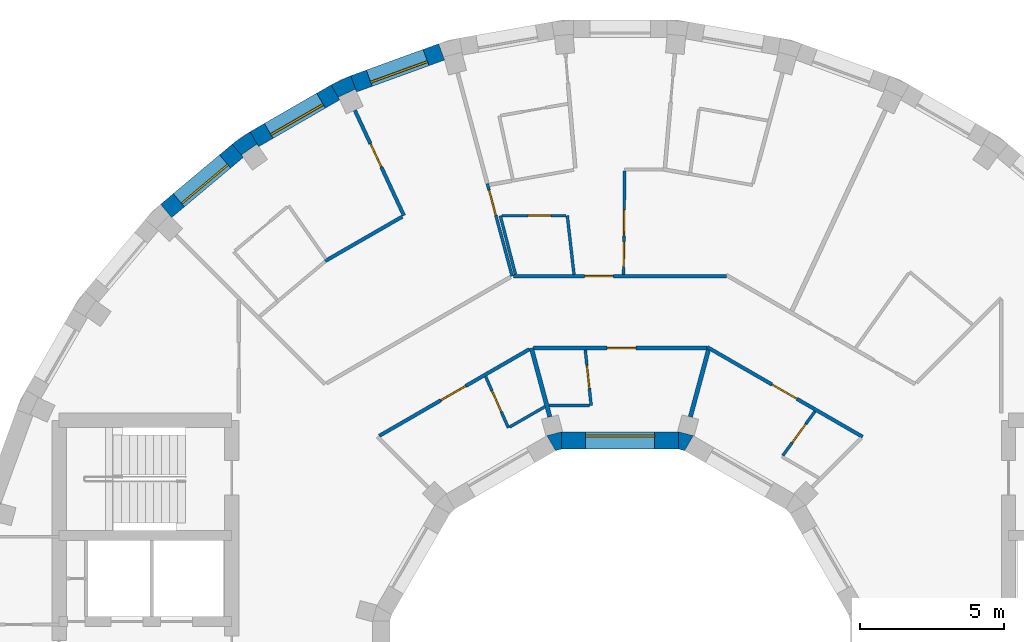
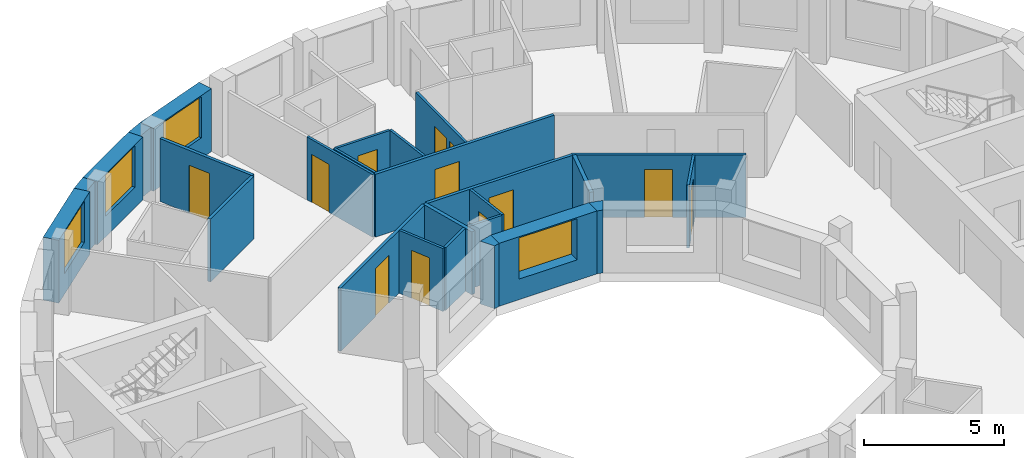
# One storey, part 9 of 12: 26 walls, 12 doors, 4 windows, 16 openings.
"""IFC4 building model written with IfcOpenShell, lengths in metres."""

from ifc_helpers import new_model, si_unit, direction, frame, frame_2d, origin, place, context, subcontext, project, spatial, polyline, rectangle, outline, extrude, material, layer, layer_set, type_object, element, fill, save


model = new_model("IFC4")

# Units and contexts
model_context = context("Model", 3, precision=1e-05, world=origin(), true_north=direction((0.0, 1.0)))
body_context = subcontext(model_context, "Body", "Model", "MODEL_VIEW")
ifc_project = project(units=[si_unit("LENGTHUNIT", "METRE"), si_unit("AREAUNIT", "SQUARE_METRE"), si_unit("VOLUMEUNIT", "CUBIC_METRE"), si_unit("PLANEANGLEUNIT", "RADIAN"), si_unit("MASSUNIT", "GRAM", prefix="KILO")], contexts=[model_context])

# Site, building, storey
site_placement = place(None, origin())
site = spatial("IfcSite", under=ifc_project, at=site_placement, CompositionType="ELEMENT")
building_placement = place(site_placement, origin())
building = spatial("IfcBuilding", under=site, at=building_placement, Name="Saqina Gate Tower", CompositionType="ELEMENT")
storey_placement = place(building_placement, frame((0.0, 0.0, 275.89990234375)))
storey = spatial("IfcBuildingStorey", under=building, at=storey_placement, Name="L79", CompositionType="ELEMENT", Elevation=275.89990234375)

# Walls
ifc_material_1 = material(Name="Brick masonry (buff)", Category="masonry")
wall_type_1 = type_object("IfcWallType", Name="BRICK PIER COPING BUFF", PredefinedType="SOLIDWALL", material=ifc_material_1)
wall_1_placement = place(storey_placement, origin())
element("IfcWall", 1, at=wall_1_placement, inside=storey, type_object=wall_type_1, Name="Pier cap L79 column 12", PredefinedType="SOLIDWALL", context=body_context, shape_type="SweptSolid", body=[
    extrude(outline(polyline([(-9.3642578125, 20.974609375), (-10.048095703125, 20.65576171875), (-9.748291015625, 20.135986328125), (-9.79296875, 20.23193359375), (-9.203857421875, 20.506591796875), (-9.1591796875, 20.410888671875), (-9.3642578125, 20.974609375)])), origin(), (0.0, 0.0, 1.0), 2.75),
])
wall_2_placement = place(storey_placement, origin())
element("IfcWall", 2, at=wall_2_placement, inside=storey, type_object=wall_type_1, Name="Pier cap L79 column 13", PredefinedType="SOLIDWALL", context=body_context, shape_type="SweptSolid", body=[
    extrude(outline(polyline([(-12.8642578125, 19.02978515625), (-13.482421875, 18.59716796875), (-13.0966796875, 18.137451171875), (-13.157470703125, 18.22412109375), (-12.625, 18.596923828125), (-12.564208984375, 18.51025390625), (-12.8642578125, 19.02978515625)])), origin(), (0.0, 0.0, 1.0), 2.75),
])

# Wall, opening, window
ifc_material_2 = material(Name="Brick masonry (buff)", Category="masonry")
ifc_layer_1 = layer(ifc_material_2, 0.60009765625)
ifc_layer_set_1 = layer_set([ifc_layer_1], Name="FW-BRICK-BUFF")
wall_type_2 = type_object("IfcWallType", Name="FW-BRICK-BUFF", PredefinedType="SOLIDWALL", material=ifc_layer_set_1)
wall_3_placement = place(storey_placement, frame((-6.2060546875, 21.804931640625, 0.0), z_axis=(0.0, 0.0, 1.0), x_axis=(-0.939679383794, -0.342056509473, 0.0)))
wall_3 = element("IfcWall", 3, at=wall_3_placement, inside=storey, type_object=wall_type_2, Name="Facade wall L79 facet 11", PredefinedType="SOLIDWALL", context=body_context, shape_type="SweptSolid", body=[
    extrude(rectangle(XDim=3.251708984375, YDim=0.60009765625, at=frame_2d((1.6259765625, 0.0))), origin(), (0.0, 0.0, 1.0), 2.75),
])
opening_1_placement = place(wall_3_placement, frame((0.57568359375, 0.0, 0.89990234375)))
opening_1 = element("IfcOpeningElement", 4, at=opening_1_placement, cuts=wall_3, Name="Opening G23-W09", PredefinedType="OPENING", context=body_context, shape_type="SweptSolid", body=[
    extrude(rectangle(XDim=2.10009765625, YDim=1.800048828125, at=frame_2d((1.050048828125, 0.89990234375))), frame((0.0, 0.31201171875, 0.0), z_axis=(0.0, -1.0, 0.0), x_axis=(1.0, 0.0, 0.0)), (0.0, 0.0, 1.0), 0.6240234375),
])
ifc_material_3 = material(Name="Aluminium glazing", Category="aluminium")
window_type_1 = type_object("IfcWindowType", Name="WN-D", PartitioningType="SINGLE_PANEL", PredefinedType="WINDOW", material=ifc_material_3)
window_1_placement = place(opening_1_placement, origin())
window_1 = element("IfcWindow", 5, at=window_1_placement, inside=storey, type_object=window_type_1, Name="Window L79 facet 11", OverallHeight=1.800048828125, OverallWidth=2.10009765625, PartitioningType="SINGLE_PANEL", PredefinedType="WINDOW", context=body_context, shape_type="SweptSolid", body=[
    extrude(rectangle(XDim=2.10009765625, YDim=1.800048828125, at=frame_2d((1.050048828125, 0.89990234375))), frame((0.0, 0.179931640625, 0.0), z_axis=(0.0, -1.0, 0.0), x_axis=(1.0, 0.0, 0.0)), (0.0, 0.0, 1.0), 0.06005859375),
])
fill(opening_1, window_1)

wall_4_placement = place(storey_placement, frame((-9.898193359375, 20.39599609375, 0.0), z_axis=(0.0, 0.0, 1.0), x_axis=(-0.866016800201, -0.500014901547, 0.0)))
wall_4 = element("IfcWall", 6, at=wall_4_placement, inside=storey, type_object=wall_type_2, Name="Facade wall L79 facet 12", PredefinedType="SOLIDWALL", context=body_context, shape_type="SweptSolid", body=[
    extrude(rectangle(XDim=3.251953125, YDim=0.60009765625, at=frame_2d((1.6259765625, 0.0))), origin(), (0.0, 0.0, 1.0), 2.75),
])
opening_2_placement = place(wall_4_placement, frame((0.57568359375, 0.0, 0.89990234375)))
opening_2 = element("IfcOpeningElement", 7, at=opening_2_placement, cuts=wall_4, Name="Opening G23-W10", PredefinedType="OPENING", context=body_context, shape_type="SweptSolid", body=[
    extrude(rectangle(XDim=2.10009765625, YDim=1.800048828125, at=frame_2d((1.050048828125, 0.89990234375))), frame((0.0, 0.31201171875, 0.0), z_axis=(0.0, -1.0, 0.0), x_axis=(1.0, 0.0, 0.0)), (0.0, 0.0, 1.0), 0.6240234375),
])
window_2_placement = place(opening_2_placement, origin())
window_2 = element("IfcWindow", 8, at=window_2_placement, inside=storey, type_object=window_type_1, Name="Window L79 facet 12", OverallHeight=1.800048828125, OverallWidth=2.10009765625, PartitioningType="SINGLE_PANEL", PredefinedType="WINDOW", context=body_context, shape_type="SweptSolid", body=[
    extrude(rectangle(XDim=2.10009765625, YDim=1.800048828125, at=frame_2d((1.050048828125, 0.89990234375))), frame((0.0, 0.179931640625, 0.0), z_axis=(0.0, -1.0, 0.0), x_axis=(1.0, 0.0, 0.0)), (0.0, 0.0, 1.0), 0.06005859375),
])
fill(opening_2, window_2)

wall_5_placement = place(storey_placement, frame((-13.28955078125, 18.3671875, 0.0), z_axis=(0.0, 0.0, 1.0), x_axis=(-0.766056773982, -0.64277291405, 0.0)))
wall_5 = element("IfcWall", 9, at=wall_5_placement, inside=storey, type_object=wall_type_2, Name="Facade wall L79 facet 13", PredefinedType="SOLIDWALL", context=body_context, shape_type="SweptSolid", body=[
    extrude(rectangle(XDim=3.251708984375, YDim=0.60009765625, at=frame_2d((1.6259765625, 0.0))), origin(), (0.0, 0.0, 1.0), 2.75),
])
opening_3_placement = place(wall_5_placement, frame((0.57568359375, 0.0, 0.89990234375)))
opening_3 = element("IfcOpeningElement", 10, at=opening_3_placement, cuts=wall_5, Name="Opening G23-W11", PredefinedType="OPENING", context=body_context, shape_type="SweptSolid", body=[
    extrude(rectangle(XDim=2.10009765625, YDim=1.800048828125, at=frame_2d((1.050048828125, 0.89990234375))), frame((0.0, 0.31201171875, 0.0), z_axis=(0.0, -1.0, 0.0), x_axis=(1.0, 0.0, 0.0)), (0.0, 0.0, 1.0), 0.6240234375),
])
window_3_placement = place(opening_3_placement, origin())
window_3 = element("IfcWindow", 11, at=window_3_placement, inside=storey, type_object=window_type_1, Name="Window L79 facet 13", OverallHeight=1.800048828125, OverallWidth=2.10009765625, PartitioningType="SINGLE_PANEL", PredefinedType="WINDOW", context=body_context, shape_type="SweptSolid", body=[
    extrude(rectangle(XDim=2.10009765625, YDim=1.800048828125, at=frame_2d((1.050048828125, 0.89990234375))), frame((0.0, 0.179931640625, 0.0), z_axis=(0.0, -1.0, 0.0), x_axis=(1.0, 0.0, 0.0)), (0.0, 0.0, 1.0), 0.06005859375),
])
fill(opening_3, window_3)

ifc_material_4 = material(Name="Glazed ceramic tile", Category="ceramic")
ifc_layer_2 = layer(ifc_material_4, 0.60009765625)
ifc_layer_set_2 = layer_set([ifc_layer_2], Name="IW-TILE")
wall_type_3 = type_object("IfcWallType", Name="IW-TILE", PredefinedType="SOLIDWALL", material=ifc_layer_set_2)
wall_6_placement = place(storey_placement, frame((2.029296875, 8.300048828125, 0.0), z_axis=(0.0, 0.0, 1.0), x_axis=(-1.0, 0.0, 0.0)))
wall_6 = element("IfcWall", 12, at=wall_6_placement, inside=storey, type_object=wall_type_3, Name="Well wall L79 facet 3", PredefinedType="SOLIDWALL", context=body_context, shape_type="SweptSolid", body=[
    extrude(rectangle(XDim=4.05859375, YDim=0.60009765625, at=frame_2d((2.029296875, 0.0))), origin(), (0.0, 0.0, 1.0), 2.75),
])
opening_4_placement = place(wall_6_placement, frame((0.829345703125, 0.0, 0.89990234375)))
opening_4 = element("IfcOpeningElement", 13, at=opening_4_placement, cuts=wall_6, Name="Opening G23-W25", PredefinedType="OPENING", context=body_context, shape_type="SweptSolid", body=[
    extrude(rectangle(XDim=2.39990234375, YDim=1.800048828125, at=frame_2d((1.199951171875, 0.89990234375))), frame((0.0, 0.31201171875, 0.0), z_axis=(0.0, -1.0, 0.0), x_axis=(1.0, 0.0, 0.0)), (0.0, 0.0, 1.0), 0.6240234375),
])
ifc_material_5 = material(Name="Aluminium glazing", Category="aluminium")
window_type_2 = type_object("IfcWindowType", Name="WN-W", PartitioningType="SINGLE_PANEL", PredefinedType="WINDOW", material=ifc_material_5)
window_4_placement = place(opening_4_placement, origin())
window_4 = element("IfcWindow", 14, at=window_4_placement, inside=storey, type_object=window_type_2, Name="Well window L79 facet 3", OverallHeight=1.800048828125, OverallWidth=2.39990234375, PartitioningType="SINGLE_PANEL", PredefinedType="WINDOW", context=body_context, shape_type="SweptSolid", body=[
    extrude(rectangle(XDim=2.39990234375, YDim=1.800048828125, at=frame_2d((1.199951171875, 0.89990234375))), frame((0.0, -0.119873046875, 0.0), z_axis=(0.0, -1.0, 0.0), x_axis=(1.0, 0.0, 0.0)), (0.0, 0.0, 1.0), 0.06005859375),
])
fill(opening_4, window_4)

# Wall, opening, door
ifc_material_6 = material(Name="Gypsum board on steel studs, 100 mm", Category="steel")
ifc_layer_3 = layer(ifc_material_6, 0.10009765625)
ifc_layer_set_3 = layer_set([ifc_layer_3], Name="PARTITION 100")
wall_type_4 = type_object("IfcWallType", Name="PARTITION 100", PredefinedType="PARTITIONING", material=ifc_layer_set_3)
wall_7_placement = place(storey_placement, frame((-1.21142578125, 11.44775390625, 0.0), z_axis=(0.0, 0.0, 1.0), x_axis=(0.105369568355, -0.994433132023, 0.0)))
wall_7 = element("IfcWall", 15, at=wall_7_placement, inside=storey, type_object=wall_type_4, Name="PARTITION PW3-01", PredefinedType="PARTITIONING", context=body_context, shape_type="SweptSolid", body=[
    extrude(rectangle(XDim=1.948486328125, YDim=0.10009765625, at=frame_2d((0.97412109375, 0.0))), origin(), (0.0, 0.0, 1.0), 2.75),
])
opening_5_placement = place(wall_7_placement, frame((0.543212890625, 0.0, 0.0)))
opening_5 = element("IfcOpeningElement", 16, at=opening_5_placement, cuts=wall_7, Name="Opening G23-D12", PredefinedType="OPENING", context=body_context, shape_type="SweptSolid", body=[
    extrude(rectangle(XDim=0.800048828125, YDim=2.10009765625, at=frame_2d((0.39990234375, 1.050048828125))), frame((0.0, 0.06201171875, 0.0), z_axis=(0.0, -1.0, 0.0), x_axis=(1.0, 0.0, 0.0)), (0.0, 0.0, 1.0), 0.1240234375),
])
ifc_material_7 = material(Name="Timber door leaf, 800 mm", Category="wood")
door_type_1 = type_object("IfcDoorType", Name="DOOR 800 TIMBER", OperationType="SINGLE_SWING_LEFT", PredefinedType="DOOR", material=ifc_material_7)
door_1_placement = place(opening_5_placement, origin())
door_1 = element("IfcDoor", 17, at=door_1_placement, inside=storey, type_object=door_type_1, Name="DOOR G23-D12", OperationType="SINGLE_SWING_LEFT", OverallHeight=2.10009765625, OverallWidth=0.800048828125, PredefinedType="DOOR", context=body_context, shape_type="SweptSolid", body=[
    extrude(rectangle(XDim=0.800048828125, YDim=2.10009765625, at=frame_2d((0.39990234375, 1.050048828125))), frame((0.0, 0.02490234375, 0.0), z_axis=(0.0, -1.0, 0.0), x_axis=(1.0, 0.0, 0.0)), (0.0, 0.0, 1.0), 0.050048828125),
])
fill(opening_5, door_1)

# Walls
wall_8_placement = place(storey_placement, frame((-1.8359375, 16.110107421875, 0.0), z_axis=(0.0, 0.0, 1.0), x_axis=(0.113539878009, -0.993533439851, 0.0)))
element("IfcWall", 18, at=wall_8_placement, inside=storey, type_object=wall_type_4, Name="PARTITION PW3-02", PredefinedType="PARTITIONING", context=body_context, shape_type="SweptSolid", body=[
    extrude(rectangle(XDim=2.05126953125, YDim=0.10009765625, at=frame_2d((1.025634765625, 0.0))), origin(), (0.0, 0.0, 1.0), 2.75),
])
wall_9_placement = place(storey_placement, frame((-4.1640625, 16.106201171875, 0.0), z_axis=(0.0, 0.0, 1.0), x_axis=(0.250341539679, -0.968157587127, 0.0)))
element("IfcWall", 19, at=wall_9_placement, inside=storey, type_object=wall_type_4, Name="PARTITION PW3-05", PredefinedType="PARTITIONING", context=body_context, shape_type="SweptSolid", body=[
    extrude(rectangle(XDim=2.1025390625, YDim=0.10009765625, at=frame_2d((1.05126953125, 0.0))), origin(), (0.0, 0.0, 1.0), 2.75),
])

# Wall, opening, door
wall_10_placement = place(storey_placement, frame((-4.61474609375, 17.222412109375, 0.0), z_axis=(0.0, 0.0, 1.0), x_axis=(0.258841272413, -0.965919870225, 0.0)))
wall_10 = element("IfcWall", 20, at=wall_10_placement, inside=storey, type_object=wall_type_4, Name="PARTITION PW3-07", PredefinedType="PARTITIONING", context=body_context, shape_type="SweptSolid", body=[
    extrude(rectangle(XDim=3.32568359375, YDim=0.10009765625, at=frame_2d((1.662841796875, 0.0))), origin(), (0.0, 0.0, 1.0), 2.75),
])
opening_6_placement = place(wall_10_placement, frame((0.2373046875, 0.0, 0.0)))
opening_6 = element("IfcOpeningElement", 21, at=opening_6_placement, cuts=wall_10, Name="Opening G23-D15", PredefinedType="OPENING", context=body_context, shape_type="SweptSolid", body=[
    extrude(rectangle(XDim=0.89990234375, YDim=2.10009765625, at=frame_2d((0.449951171875, 1.050048828125))), frame((0.0, 0.06201171875, 0.0), z_axis=(0.0, -1.0, 0.0), x_axis=(1.0, 0.0, 0.0)), (0.0, 0.0, 1.0), 0.1240234375),
])
ifc_material_8 = material(Name="Timber door leaf, 900 mm", Category="wood")
door_type_2 = type_object("IfcDoorType", Name="DOOR 900 TIMBER", OperationType="SINGLE_SWING_LEFT", PredefinedType="DOOR", material=ifc_material_8)
door_2_placement = place(opening_6_placement, frame((0.89990234375, 0.0, 0.0), z_axis=(0.0, 0.0, 1.0), x_axis=(-1.0, 0.0, 0.0)))
door_2 = element("IfcDoor", 22, at=door_2_placement, inside=storey, type_object=door_type_2, Name="DOOR G23-D15", OperationType="SINGLE_SWING_RIGHT", OverallHeight=2.10009765625, OverallWidth=0.89990234375, PredefinedType="DOOR", context=body_context, shape_type="SweptSolid", body=[
    extrude(rectangle(XDim=0.89990234375, YDim=2.10009765625, at=frame_2d((0.449951171875, 1.050048828125))), frame((0.0, 0.02490234375, 0.0), z_axis=(0.0, -1.0, 0.0), x_axis=(1.0, 0.0, 0.0)), (0.0, 0.0, 1.0), 0.050048828125),
])
fill(opening_6, door_2)

wall_11_placement = place(storey_placement, frame((-4.674560546875, 10.519775390625, 0.0), z_axis=(0.0, 0.0, 1.0), x_axis=(0.405743130594, -0.913987150881, 0.0)))
wall_11 = element("IfcWall", 23, at=wall_11_placement, inside=storey, type_object=wall_type_4, Name="PARTITION PW3-10", PredefinedType="PARTITIONING", context=body_context, shape_type="SweptSolid", body=[
    extrude(rectangle(XDim=1.9482421875, YDim=0.10009765625, at=frame_2d((0.97412109375, 0.0))), origin(), (0.0, 0.0, 1.0), 2.75),
])
opening_7_placement = place(wall_11_placement, frame((0.54296875, 0.0, 0.0)))
opening_7 = element("IfcOpeningElement", 24, at=opening_7_placement, cuts=wall_11, Name="Opening G23-D16", PredefinedType="OPENING", context=body_context, shape_type="SweptSolid", body=[
    extrude(rectangle(XDim=0.800048828125, YDim=2.10009765625, at=frame_2d((0.39990234375, 1.050048828125))), frame((0.0, 0.06201171875, 0.0), z_axis=(0.0, -1.0, 0.0), x_axis=(1.0, 0.0, 0.0)), (0.0, 0.0, 1.0), 0.1240234375),
])
door_3_placement = place(opening_7_placement, frame((0.800048828125, 0.0, 0.0), z_axis=(0.0, 0.0, 1.0), x_axis=(-1.0, 0.0, 0.0)))
door_3 = element("IfcDoor", 25, at=door_3_placement, inside=storey, type_object=door_type_1, Name="DOOR G23-D16", OperationType="SINGLE_SWING_RIGHT", OverallHeight=2.10009765625, OverallWidth=0.800048828125, PredefinedType="DOOR", context=body_context, shape_type="SweptSolid", body=[
    extrude(rectangle(XDim=0.800048828125, YDim=2.10009765625, at=frame_2d((0.39990234375, 1.050048828125))), frame((0.0, 0.02490234375, 0.0), z_axis=(0.0, -1.0, 0.0), x_axis=(1.0, 0.0, 0.0)), (0.0, 0.0, 1.0), 0.050048828125),
])
fill(opening_7, door_3)

# Wall
wall_12_placement = place(storey_placement, frame((-2.472900390625, 9.510009765625, 0.0), z_axis=(0.0, 0.0, 1.0), x_axis=(1.0, 0.0, 0.0)))
element("IfcWall", 26, at=wall_12_placement, inside=storey, type_object=wall_type_4, Name="PARTITION PW3-26", PredefinedType="PARTITIONING", context=body_context, shape_type="SweptSolid", body=[
    extrude(rectangle(XDim=1.4169921875, YDim=0.10009765625, at=frame_2d((0.70849609375, 0.0))), origin(), (0.0, 0.0, 1.0), 2.75),
])

# Wall, opening, door
wall_13_placement = place(storey_placement, frame((-4.112060546875, 16.110107421875, 0.0), z_axis=(0.0, 0.0, 1.0), x_axis=(1.0, 0.0, 0.0)))
wall_13 = element("IfcWall", 27, at=wall_13_placement, inside=storey, type_object=wall_type_4, Name="PARTITION PW3-27", PredefinedType="PARTITIONING", context=body_context, shape_type="SweptSolid", body=[
    extrude(rectangle(XDim=2.22412109375, YDim=0.10009765625, at=frame_2d((1.112060546875, 0.0))), origin(), (0.0, 0.0, 1.0), 2.75),
])
opening_8_placement = place(wall_13_placement, frame((0.912109375, 0.0, 0.0)))
opening_8 = element("IfcOpeningElement", 28, at=opening_8_placement, cuts=wall_13, Name="Opening G23-D14", PredefinedType="OPENING", context=body_context, shape_type="SweptSolid", body=[
    extrude(rectangle(XDim=0.800048828125, YDim=2.10009765625, at=frame_2d((0.39990234375, 1.050048828125))), frame((0.0, 0.06201171875, 0.0), z_axis=(0.0, -1.0, 0.0), x_axis=(1.0, 0.0, 0.0)), (0.0, 0.0, 1.0), 0.1240234375),
])
door_4_placement = place(opening_8_placement, origin())
door_4 = element("IfcDoor", 29, at=door_4_placement, inside=storey, type_object=door_type_1, Name="DOOR G23-D14", OperationType="SINGLE_SWING_RIGHT", OverallHeight=2.10009765625, OverallWidth=0.800048828125, PredefinedType="DOOR", context=body_context, shape_type="SweptSolid", body=[
    extrude(rectangle(XDim=0.800048828125, YDim=2.10009765625, at=frame_2d((0.39990234375, 1.050048828125))), frame((0.0, 0.02490234375, 0.0), z_axis=(0.0, -1.0, 0.0), x_axis=(1.0, 0.0, 0.0)), (0.0, 0.0, 1.0), 0.050048828125),
])
fill(opening_8, door_4)

# Wall
wall_14_placement = place(storey_placement, frame((-3.840576171875, 8.763916015625, 0.0), z_axis=(0.0, 0.0, 1.0), x_axis=(0.866093804534, 0.499881507708, 0.0)))
element("IfcWall", 30, at=wall_14_placement, inside=storey, type_object=wall_type_4, Name="PARTITION PW3-36", PredefinedType="PARTITIONING", context=body_context, shape_type="SweptSolid", body=[
    extrude(rectangle(XDim=1.417236328125, YDim=0.10009765625, at=frame_2d((0.70849609375, 0.0))), origin(), (0.0, 0.0, 1.0), 2.75),
])

# Wall, opening, door
wall_15_placement = place(storey_placement, frame((5.655517578125, 7.7734375, 0.0), z_axis=(0.0, 0.0, 1.0), x_axis=(0.588645610209, 0.808391208254, 0.0)))
wall_15 = element("IfcWall", 31, at=wall_15_placement, inside=storey, type_object=wall_type_4, Name="PARTITION PW3-41", PredefinedType="PARTITIONING", context=body_context, shape_type="SweptSolid", body=[
    extrude(rectangle(XDim=1.898681640625, YDim=0.10009765625, at=frame_2d((0.94921875, 0.0))), origin(), (0.0, 0.0, 1.0), 2.75),
])
opening_9_placement = place(wall_15_placement, frame((0.5556640625, 0.0, 0.0)))
opening_9 = element("IfcOpeningElement", 32, at=opening_9_placement, cuts=wall_15, Name="Opening G23-D02", PredefinedType="OPENING", context=body_context, shape_type="SweptSolid", body=[
    extrude(rectangle(XDim=0.800048828125, YDim=2.10009765625, at=frame_2d((0.39990234375, 1.050048828125))), frame((0.0, 0.06201171875, 0.0), z_axis=(0.0, -1.0, 0.0), x_axis=(1.0, 0.0, 0.0)), (0.0, 0.0, 1.0), 0.1240234375),
])
door_5_placement = place(opening_9_placement, origin())
door_5 = element("IfcDoor", 33, at=door_5_placement, inside=storey, type_object=door_type_1, Name="DOOR G23-D02", OperationType="SINGLE_SWING_RIGHT", OverallHeight=2.10009765625, OverallWidth=0.800048828125, PredefinedType="DOOR", context=body_context, shape_type="SweptSolid", body=[
    extrude(rectangle(XDim=0.800048828125, YDim=2.10009765625, at=frame_2d((0.39990234375, 1.050048828125))), frame((0.0, 0.02490234375, 0.0), z_axis=(0.0, -1.0, 0.0), x_axis=(1.0, 0.0, 0.0)), (0.0, 0.0, 1.0), 0.050048828125),
])
fill(opening_9, door_5)

# Wall, openings, doors
wall_16_placement = place(storey_placement, frame((0.12255859375, 14.072509765625, 0.0), z_axis=(0.0, 0.0, 1.0), x_axis=(0.008912423265, 0.999960283567, 0.0)))
wall_16 = element("IfcWall", 34, at=wall_16_placement, inside=storey, type_object=wall_type_4, Name="PARTITION PW3-52", PredefinedType="PARTITIONING", context=body_context, shape_type="SweptSolid", body=[
    extrude(rectangle(XDim=3.588623046875, YDim=0.10009765625, at=frame_2d((1.79443359375, 0.0))), origin(), (0.0, 0.0, 1.0), 2.75),
])
opening_10_placement = place(wall_16_placement, frame((0.237548828125, 0.0, 0.0)))
opening_10 = element("IfcOpeningElement", 35, at=opening_10_placement, cuts=wall_16, Name="Opening G23-D07", PredefinedType="OPENING", context=body_context, shape_type="SweptSolid", body=[
    extrude(rectangle(XDim=0.89990234375, YDim=2.10009765625, at=frame_2d((0.449951171875, 1.050048828125))), frame((0.0, 0.06201171875, 0.0), z_axis=(0.0, -1.0, 0.0), x_axis=(1.0, 0.0, 0.0)), (0.0, 0.0, 1.0), 0.1240234375),
])
opening_11_placement = place(wall_16_placement, frame((1.337646484375, 0.0, 0.0)))
opening_11 = element("IfcOpeningElement", 36, at=opening_11_placement, cuts=wall_16, Name="Opening G23-D08", PredefinedType="OPENING", context=body_context, shape_type="SweptSolid", body=[
    extrude(rectangle(XDim=0.89990234375, YDim=2.10009765625, at=frame_2d((0.449951171875, 1.050048828125))), frame((0.0, 0.06201171875, 0.0), z_axis=(0.0, -1.0, 0.0), x_axis=(1.0, 0.0, 0.0)), (0.0, 0.0, 1.0), 0.1240234375),
])
door_6_placement = place(opening_10_placement, frame((0.89990234375, 0.0, 0.0), z_axis=(0.0, 0.0, 1.0), x_axis=(-1.0, 0.0, 0.0)))
door_6 = element("IfcDoor", 37, at=door_6_placement, inside=storey, type_object=door_type_2, Name="DOOR G23-D07", OperationType="SINGLE_SWING_RIGHT", OverallHeight=2.10009765625, OverallWidth=0.89990234375, PredefinedType="DOOR", context=body_context, shape_type="SweptSolid", body=[
    extrude(rectangle(XDim=0.89990234375, YDim=2.10009765625, at=frame_2d((0.449951171875, 1.050048828125))), frame((0.0, 0.02490234375, 0.0), z_axis=(0.0, -1.0, 0.0), x_axis=(1.0, 0.0, 0.0)), (0.0, 0.0, 1.0), 0.050048828125),
])
fill(opening_10, door_6)
door_7_placement = place(opening_11_placement, frame((0.89990234375, 0.0, 0.0), z_axis=(0.0, 0.0, 1.0), x_axis=(-1.0, 0.0, 0.0)))
door_7 = element("IfcDoor", 38, at=door_7_placement, inside=storey, type_object=door_type_2, Name="DOOR G23-D08", OperationType="SINGLE_SWING_RIGHT", OverallHeight=2.10009765625, OverallWidth=0.89990234375, PredefinedType="DOOR", context=body_context, shape_type="SweptSolid", body=[
    extrude(rectangle(XDim=0.89990234375, YDim=2.10009765625, at=frame_2d((0.449951171875, 1.050048828125))), frame((0.0, 0.02490234375, 0.0), z_axis=(0.0, -1.0, 0.0), x_axis=(1.0, 0.0, 0.0)), (0.0, 0.0, 1.0), 0.050048828125),
])
fill(opening_11, door_7)

# Wall, opening, door
ifc_material_9 = material(Name="Gypsum board on steel studs, 125 mm, fire rated", Category="steel")
ifc_layer_4 = layer(ifc_material_9, 0.125)
ifc_layer_set_4 = layer_set([ifc_layer_4], Name="PARTITION EI 30 125")
wall_type_5 = type_object("IfcWallType", Name="PARTITION EI 30 125", PredefinedType="PARTITIONING", material=ifc_layer_set_4)
wall_17_placement = place(storey_placement, frame((-9.219482421875, 19.77099609375, 0.0), z_axis=(0.0, 0.0, 1.0), x_axis=(0.422689943865, -0.906274357662, 0.0)))
wall_17 = element("IfcWall", 39, at=wall_17_placement, inside=storey, type_object=wall_type_5, Name="PARTITION PW1-06", PredefinedType="PARTITIONING", context=body_context, shape_type="SweptSolid", body=[
    extrude(rectangle(XDim=4.033203125, YDim=0.125, at=frame_2d((2.0166015625, 0.0))), origin(), (0.0, 0.0, 1.0), 2.75),
])
opening_12_placement = place(wall_17_placement, frame((1.2763671875, 0.0, 0.0)))
opening_12 = element("IfcOpeningElement", 40, at=opening_12_placement, cuts=wall_17, Name="Opening G23-D17", PredefinedType="OPENING", context=body_context, shape_type="SweptSolid", body=[
    extrude(rectangle(XDim=0.89990234375, YDim=2.10009765625, at=frame_2d((0.449951171875, 1.050048828125))), frame((0.0, 0.074462890625, 0.0), z_axis=(0.0, -1.0, 0.0), x_axis=(1.0, 0.0, 0.0)), (0.0, 0.0, 1.0), 0.14892578125),
])
ifc_material_10 = material(Name="Fire door leaf EI 30, 900 mm")
door_type_3 = type_object("IfcDoorType", Name="DOOR 900 EI 30", OperationType="SINGLE_SWING_LEFT", PredefinedType="DOOR", material=ifc_material_10)
door_8_placement = place(opening_12_placement, origin())
door_8 = element("IfcDoor", 41, at=door_8_placement, inside=storey, type_object=door_type_3, Name="DOOR G23-D17", OperationType="SINGLE_SWING_LEFT", OverallHeight=2.10009765625, OverallWidth=0.89990234375, PredefinedType="DOOR", context=body_context, shape_type="SweptSolid", body=[
    extrude(rectangle(XDim=0.89990234375, YDim=2.10009765625, at=frame_2d((0.449951171875, 1.050048828125))), frame((0.0, 0.02490234375, 0.0), z_axis=(0.0, -1.0, 0.0), x_axis=(1.0, 0.0, 0.0)), (0.0, 0.0, 1.0), 0.050048828125),
])
fill(opening_12, door_8)

wall_18_placement = place(storey_placement, frame((3.021484375, 11.546142578125, 0.0), z_axis=(0.0, 0.0, 1.0), x_axis=(0.866039004929, -0.499976441387, 0.0)))
wall_18 = element("IfcWall", 42, at=wall_18_placement, inside=storey, type_object=wall_type_5, Name="PARTITION PW1-15", PredefinedType="PARTITIONING", context=body_context, shape_type="SweptSolid", body=[
    extrude(rectangle(XDim=6.240478515625, YDim=0.125, at=frame_2d((3.1201171875, 0.0))), origin(), (0.0, 0.0, 1.0), 2.75),
])
opening_13_placement = place(wall_18_placement, frame((2.606201171875, 0.0, 0.0)))
opening_13 = element("IfcOpeningElement", 43, at=opening_13_placement, cuts=wall_18, Name="Opening G23-D04", PredefinedType="OPENING", context=body_context, shape_type="SweptSolid", body=[
    extrude(rectangle(XDim=1.0, YDim=2.10009765625, at=frame_2d((0.5, 1.050048828125))), frame((0.0, 0.074462890625, 0.0), z_axis=(0.0, -1.0, 0.0), x_axis=(1.0, 0.0, 0.0)), (0.0, 0.0, 1.0), 0.14892578125),
])
ifc_material_11 = material(Name="Fire door leaf EI 30, 1000 mm")
door_type_4 = type_object("IfcDoorType", Name="DOOR 1000 EI 30", OperationType="SINGLE_SWING_LEFT", PredefinedType="DOOR", material=ifc_material_11)
door_9_placement = place(opening_13_placement, frame((1.0, 0.0, 0.0), z_axis=(0.0, 0.0, 1.0), x_axis=(-1.0, 0.0, 0.0)))
door_9 = element("IfcDoor", 44, at=door_9_placement, inside=storey, type_object=door_type_4, Name="DOOR G23-D04", OperationType="SINGLE_SWING_RIGHT", OverallHeight=2.10009765625, OverallWidth=1.0, PredefinedType="DOOR", context=body_context, shape_type="SweptSolid", body=[
    extrude(rectangle(XDim=1.0, YDim=2.10009765625, at=frame_2d((0.5, 1.050048828125))), frame((0.0, 0.02490234375, 0.0), z_axis=(0.0, -1.0, 0.0), x_axis=(1.0, 0.0, 0.0)), (0.0, 0.0, 1.0), 0.050048828125),
])
fill(opening_13, door_9)

wall_19_placement = place(storey_placement, frame((-3.009033203125, 11.510009765625, 0.0), z_axis=(0.0, 0.0, 1.0), x_axis=(1.0, 0.0, 0.0)))
wall_19 = element("IfcWall", 45, at=wall_19_placement, inside=storey, type_object=wall_type_5, Name="PARTITION PW1-20", PredefinedType="PARTITIONING", context=body_context, shape_type="SweptSolid", body=[
    extrude(rectangle(XDim=6.030517578125, YDim=0.125, at=frame_2d((3.01513671875, 0.0))), origin(), (0.0, 0.0, 1.0), 2.75),
])
opening_14_placement = place(wall_19_placement, frame((2.5595703125, 0.0, 0.0)))
opening_14 = element("IfcOpeningElement", 46, at=opening_14_placement, cuts=wall_19, Name="Opening G23-D09", PredefinedType="OPENING", context=body_context, shape_type="SweptSolid", body=[
    extrude(rectangle(XDim=1.0, YDim=2.10009765625, at=frame_2d((0.5, 1.050048828125))), frame((0.0, 0.074462890625, 0.0), z_axis=(0.0, -1.0, 0.0), x_axis=(1.0, 0.0, 0.0)), (0.0, 0.0, 1.0), 0.14892578125),
])
door_10_placement = place(opening_14_placement, frame((1.0, 0.0, 0.0), z_axis=(0.0, 0.0, 1.0), x_axis=(-1.0, 0.0, 0.0)))
door_10 = element("IfcDoor", 47, at=door_10_placement, inside=storey, type_object=door_type_4, Name="DOOR G23-D09", OperationType="SINGLE_SWING_LEFT", OverallHeight=2.10009765625, OverallWidth=1.0, PredefinedType="DOOR", context=body_context, shape_type="SweptSolid", body=[
    extrude(rectangle(XDim=1.0, YDim=2.10009765625, at=frame_2d((0.5, 1.050048828125))), frame((0.0, 0.02490234375, 0.0), z_axis=(0.0, -1.0, 0.0), x_axis=(1.0, 0.0, 0.0)), (0.0, 0.0, 1.0), 0.050048828125),
])
fill(opening_14, door_10)

wall_20_placement = place(storey_placement, frame((-3.702880859375, 14.010009765625, 0.0), z_axis=(0.0, 0.0, 1.0), x_axis=(1.0, 0.0, 0.0)))
wall_20 = element("IfcWall", 48, at=wall_20_placement, inside=storey, type_object=wall_type_5, Name="PARTITION PW1-21", PredefinedType="PARTITIONING", context=body_context, shape_type="SweptSolid", body=[
    extrude(rectangle(XDim=7.393310546875, YDim=0.125, at=frame_2d((3.69677734375, 0.0))), origin(), (0.0, 0.0, 1.0), 2.75),
])
opening_15_placement = place(wall_20_placement, frame((2.466064453125, 0.0, 0.0)))
opening_15 = element("IfcOpeningElement", 49, at=opening_15_placement, cuts=wall_20, Name="Opening G23-D10", PredefinedType="OPENING", context=body_context, shape_type="SweptSolid", body=[
    extrude(rectangle(XDim=1.0, YDim=2.10009765625, at=frame_2d((0.5, 1.050048828125))), frame((0.0, 0.074462890625, 0.0), z_axis=(0.0, -1.0, 0.0), x_axis=(1.0, 0.0, 0.0)), (0.0, 0.0, 1.0), 0.14892578125),
])
door_11_placement = place(opening_15_placement, origin())
door_11 = element("IfcDoor", 50, at=door_11_placement, inside=storey, type_object=door_type_4, Name="DOOR G23-D10", OperationType="SINGLE_SWING_LEFT", OverallHeight=2.10009765625, OverallWidth=1.0, PredefinedType="DOOR", context=body_context, shape_type="SweptSolid", body=[
    extrude(rectangle(XDim=1.0, YDim=2.10009765625, at=frame_2d((0.5, 1.050048828125))), frame((0.0, 0.02490234375, 0.0), z_axis=(0.0, -1.0, 0.0), x_axis=(1.0, 0.0, 0.0)), (0.0, 0.0, 1.0), 0.050048828125),
])
fill(opening_15, door_11)

# Wall
wall_21_placement = place(storey_placement, frame((-10.2529296875, 14.533447265625, 0.0), z_axis=(0.0, 0.0, 1.0), x_axis=(0.86679387043, 0.498666608252, 0.0)))
element("IfcWall", 51, at=wall_21_placement, inside=storey, type_object=wall_type_5, Name="PARTITION PW1-25", PredefinedType="PARTITIONING", context=body_context, shape_type="SweptSolid", body=[
    extrude(rectangle(XDim=3.09716796875, YDim=0.125, at=frame_2d((1.548583984375, 0.0))), origin(), (0.0, 0.0, 1.0), 2.75),
])

# Wall, opening, door
wall_22_placement = place(storey_placement, frame((-8.371826171875, 8.457275390625, 0.0), z_axis=(0.0, 0.0, 1.0), x_axis=(0.866047390407, 0.499961916119, 0.0)))
wall_22 = element("IfcWall", 52, at=wall_22_placement, inside=storey, type_object=wall_type_5, Name="PARTITION PW1-28", PredefinedType="PARTITIONING", context=body_context, shape_type="SweptSolid", body=[
    extrude(rectangle(XDim=6.03076171875, YDim=0.125, at=frame_2d((3.015380859375, 0.0))), origin(), (0.0, 0.0, 1.0), 2.75),
])
opening_16_placement = place(wall_22_placement, frame((2.47119140625, 0.0, 0.0)))
opening_16 = element("IfcOpeningElement", 53, at=opening_16_placement, cuts=wall_22, Name="Opening G23-D18", PredefinedType="OPENING", context=body_context, shape_type="SweptSolid", body=[
    extrude(rectangle(XDim=1.0, YDim=2.10009765625, at=frame_2d((0.5, 1.050048828125))), frame((0.0, 0.074462890625, 0.0), z_axis=(0.0, -1.0, 0.0), x_axis=(1.0, 0.0, 0.0)), (0.0, 0.0, 1.0), 0.14892578125),
])
door_12_placement = place(opening_16_placement, frame((1.0, 0.0, 0.0), z_axis=(0.0, 0.0, 1.0), x_axis=(-1.0, 0.0, 0.0)))
door_12 = element("IfcDoor", 54, at=door_12_placement, inside=storey, type_object=door_type_4, Name="DOOR G23-D18", OperationType="SINGLE_SWING_RIGHT", OverallHeight=2.10009765625, OverallWidth=1.0, PredefinedType="DOOR", context=body_context, shape_type="SweptSolid", body=[
    extrude(rectangle(XDim=1.0, YDim=2.10009765625, at=frame_2d((0.5, 1.050048828125))), frame((0.0, 0.02490234375, 0.0), z_axis=(0.0, -1.0, 0.0), x_axis=(1.0, 0.0, 0.0)), (0.0, 0.0, 1.0), 0.050048828125),
])
fill(opening_16, door_12)

# Walls
ifc_material_12 = material(Name="Gypsum board on steel studs, 150 mm, fire rated", Category="steel")
ifc_layer_5 = layer(ifc_material_12, 0.14990234375)
ifc_layer_set_5 = layer_set([ifc_layer_5], Name="PARTITION EI 60 150")
wall_type_6 = type_object("IfcWallType", Name="PARTITION EI 60 150", PredefinedType="PARTITIONING", material=ifc_layer_set_5)
wall_23_placement = place(storey_placement, frame((-3.083984375, 11.510009765625, 0.0), z_axis=(0.0, 0.0, 1.0), x_axis=(0.258872567774, -0.965911483343, 0.0)))
element("IfcWall", 55, at=wall_23_placement, inside=storey, type_object=wall_type_6, Name="PARTITION PW2-01", PredefinedType="PARTITIONING", context=body_context, shape_type="SweptSolid", body=[
    extrude(rectangle(XDim=2.4736328125, YDim=0.14990234375, at=frame_2d((1.23681640625, 0.0))), origin(), (0.0, 0.0, 1.0), 2.75),
])
wall_24_placement = place(storey_placement, frame((2.443115234375, 9.12060546875, 0.0), z_axis=(0.0, 0.0, 1.0), x_axis=(0.26040916135, 0.965498352502, 0.0)))
element("IfcWall", 56, at=wall_24_placement, inside=storey, type_object=wall_type_6, Name="PARTITION PW2-04", PredefinedType="PARTITIONING", context=body_context, shape_type="SweptSolid", body=[
    extrude(rectangle(XDim=2.411376953125, YDim=0.14990234375, at=frame_2d((1.20556640625, 0.0))), origin(), (0.0, 0.0, 1.0), 2.75),
])
ifc_material_13 = material(Name="Glazed ceramic tile", Category="ceramic")
wall_type_7 = type_object("IfcWallType", Name="TILE PIER COPING", PredefinedType="SOLIDWALL", material=ifc_material_13)
wall_25_placement = place(storey_placement, origin())
element("IfcWall", 57, at=wall_25_placement, inside=storey, type_object=wall_type_7, Name="Well pier cap L79 column 3", PredefinedType="SOLIDWALL", context=body_context, shape_type="SweptSolid", body=[
    extrude(outline(polyline([(2.029296875, 8.60009765625), (2.029296875, 8.0), (2.242431640625, 7.94287109375), (2.54248046875, 8.46240234375), (2.029296875, 8.60009765625)])), origin(), (0.0, 0.0, 1.0), 2.75),
])
wall_26_placement = place(storey_placement, origin())
element("IfcWall", 58, at=wall_26_placement, inside=storey, type_object=wall_type_7, Name="Well pier cap L79 column 4", PredefinedType="SOLIDWALL", context=body_context, shape_type="SweptSolid", body=[
    extrude(outline(polyline([(-2.54248046875, 8.46240234375), (-2.242431640625, 7.94287109375), (-2.029296875, 8.0), (-2.029296875, 8.60009765625), (-2.54248046875, 8.46240234375)])), origin(), (0.0, 0.0, 1.0), 2.75),
])

save(model, "model.ifc")
